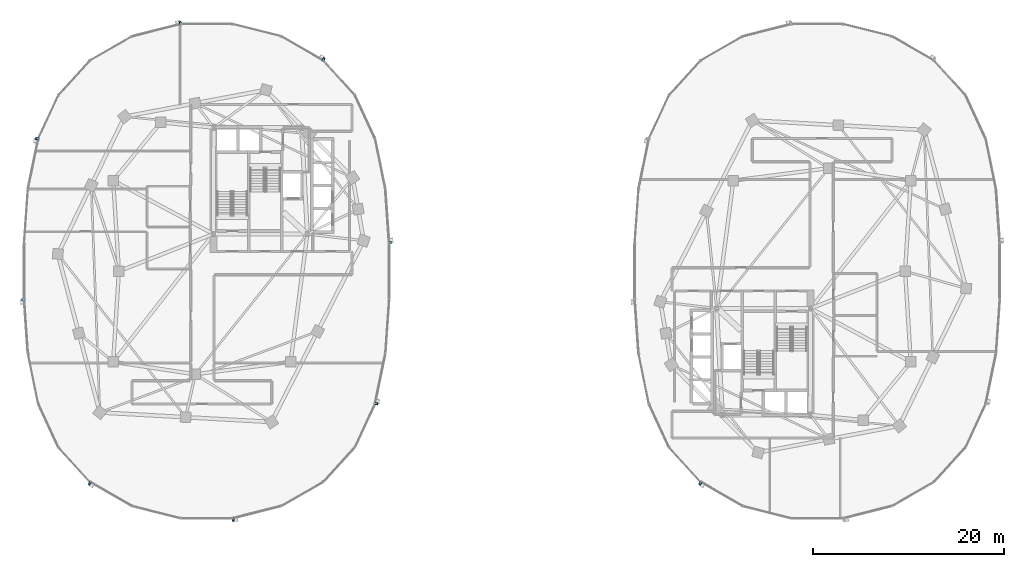
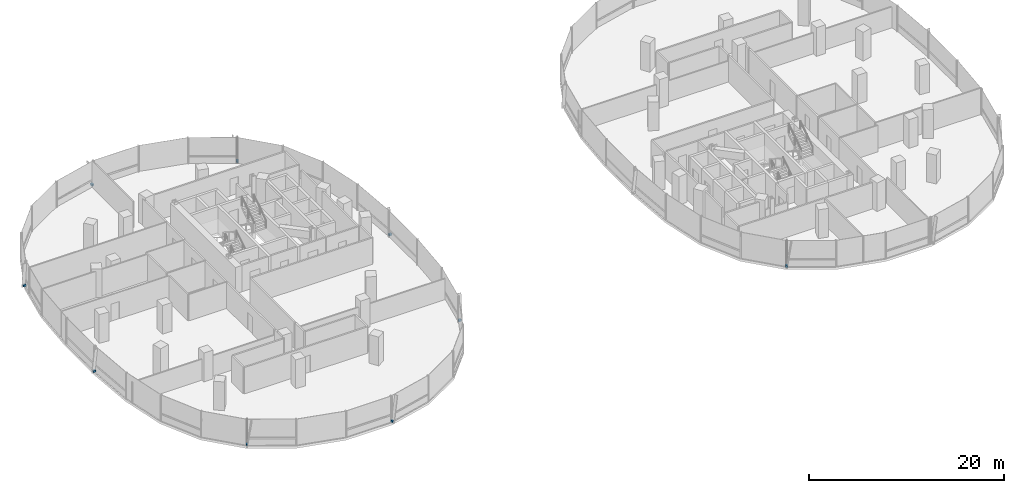
# One storey, part 15 of 21: 9 discrete accessories.
"""IFC4 building model written with IfcOpenShell, lengths in metres."""

import ifcopenshell
import ifcopenshell.guid

model = None  # the IFC model being written
_history = None  # IfcOwnerHistory: only IFC2X3 demands one
_inside = {}  # id of a spatial element -> (the spatial element, [elements in it])
_under = {}  # id of a project, library or spatial element -> (it, [spatial elements below it])
_declared = {}  # id of a project -> (the project, [libraries it declares])
_typed = {}  # id of a type object -> (the type object, [elements of that type])
_made_of = {}  # id of a material, layer set ... -> (it, [elements and type objects made of it])


def new_model(schema):
    """Start an empty IFC model of exactly this schema.

    Asked for "IFC4X3", IfcOpenShell would pick the latest addendum, in which some entities
    have other attributes; the version numbers below select the first issue.
    IFC2X3 requires an IfcOwnerHistory on every rooted entity: one is made here for all.
    """
    global model, _history
    if schema == "IFC4X3":
        model = ifcopenshell.file(schema_version=(4, 3, 0, 0))
    else:
        model = ifcopenshell.file(schema=schema)
    _inside.clear()
    _under.clear()
    _declared.clear()
    _typed.clear()
    _made_of.clear()
    _history = None
    if model.schema == "IFC2X3":
        org = make("IfcOrganization", Name="unknown")
        user = make(
            "IfcPersonAndOrganization",
            ThePerson=make("IfcPerson", FamilyName="unknown"),
            TheOrganization=org,
        )
        app = make(
            "IfcApplication",
            ApplicationDeveloper=org,
            Version="unknown",
            ApplicationFullName="unknown",
            ApplicationIdentifier="unknown",
        )
        _history = make(
            "IfcOwnerHistory",
            OwningUser=user,
            OwningApplication=app,
            ChangeAction="ADDED",
            CreationDate=0,
        )
    return model


def make(cls, **values):
    """One entity of the class cls with the attributes given. An attribute that is None is left unset."""
    return model.create_entity(
        cls, **{name: value for name, value in values.items() if value is not None}
    )


def rooted(cls, **values):
    """An entity with a GlobalId (a new one), such as an element, a storey or a relation."""
    return make(cls, GlobalId=ifcopenshell.guid.new(), OwnerHistory=_history, **values)


def si_unit(unit_type, name, prefix=None):
    """IfcSIUnit, for example si_unit("LENGTHUNIT", "METRE", prefix="MILLI")."""
    return make("IfcSIUnit", UnitType=unit_type, Prefix=prefix, Name=name)


def assignment(units):
    """IfcUnitAssignment: the units of a project."""
    return None if units is None else make("IfcUnitAssignment", Units=units)


def point(xyz):
    """IfcCartesianPoint."""
    return None if xyz is None else make("IfcCartesianPoint", Coordinates=xyz)


def direction(xyz):
    """IfcDirection."""
    return None if xyz is None else make("IfcDirection", DirectionRatios=xyz)


def frame(location, z_axis=None, x_axis=None):
    """IfcAxis2Placement3D, a coordinate frame: its origin and axes. An axis left out is left unset."""
    return make(
        "IfcAxis2Placement3D",
        Location=point(location),
        Axis=direction(z_axis),
        RefDirection=direction(x_axis),
    )


def frame_2d(location, x_axis=None):
    """IfcAxis2Placement2D, a coordinate frame in the plane: its origin and x axis."""
    return make(
        "IfcAxis2Placement2D", Location=point(location), RefDirection=direction(x_axis)
    )


def origin():
    """The frame at (0, 0, 0) with its axes left unset."""
    return frame((0.0, 0.0, 0.0))


def origin_2d():
    """The frame at (0, 0) in the plane with its x axis left unset."""
    return frame_2d((0.0, 0.0))


def place(relative_to, where):
    """IfcLocalPlacement: puts the frame where relative to a parent placement (None: the world)."""
    return make(
        "IfcLocalPlacement", PlacementRelTo=relative_to, RelativePlacement=where
    )


def context(
    kind, dimensions, precision=None, world=None, true_north=None, identifier=None
):
    """IfcGeometricRepresentationContext, for example the 3D "Model" context."""
    return make(
        "IfcGeometricRepresentationContext",
        ContextIdentifier=identifier,
        ContextType=kind,
        CoordinateSpaceDimension=dimensions,
        Precision=precision,
        WorldCoordinateSystem=world,
        TrueNorth=true_north,
    )


def subcontext(parent, identifier, kind, view, scale=None):
    """IfcGeometricRepresentationSubContext, for example "Body" below "Model"."""
    return make(
        "IfcGeometricRepresentationSubContext",
        ContextIdentifier=identifier,
        ContextType=kind,
        ParentContext=parent,
        TargetScale=scale,
        TargetView=view,
    )


def project(units=None, contexts=None):
    """IfcProject with its units and contexts."""
    return rooted(
        "IfcProject",
        Name="project",
        RepresentationContexts=contexts,
        UnitsInContext=assignment(units),
    )


def spatial(cls, under=None, at=None, **own):
    """A site, building, storey or space (cls), placed at a placement, below another one or the project."""
    s = rooted(cls, ObjectPlacement=at, **own)
    if under is not None:
        _under.setdefault(under.id(), (under, []))[1].append(s)
    return s


def profile(cls, at=None, kind="AREA", **sizes):
    """A parametric profile (cls). Its sizes go by their IFC names, for example OverallWidth=200.0."""
    return make(cls, ProfileType=kind, Position=at, **sizes)


def rectangle(**sizes):
    """IfcRectangleProfileDef."""
    return profile("IfcRectangleProfileDef", **sizes)


def extrude(swept, where, along, depth):
    """IfcExtrudedAreaSolid: the profile swept, set in the frame where, extruded along a direction by depth."""
    return make(
        "IfcExtrudedAreaSolid",
        SweptArea=swept,
        Position=where,
        ExtrudedDirection=direction(along),
        Depth=depth,
    )


def shape(context_of_items, identifier, shape_type, items):
    """IfcShapeRepresentation: the items that make up one representation, for example the "Body"."""
    return make(
        "IfcShapeRepresentation",
        ContextOfItems=context_of_items,
        RepresentationIdentifier=identifier,
        RepresentationType=shape_type,
        Items=items,
    )


def material(Name=None, Category=None):
    """IfcMaterial."""
    return make("IfcMaterial", Name=Name, Category=Category)


def made_of(thing, what):
    """Note that an element or type object is made of a material, layer set ...; save() writes the relation."""
    if what is not None:
        _made_of.setdefault(what.id(), (what, []))[1].append(thing)
    return thing


def type_object(cls, material=None, **own):
    """A type object (cls), such as IfcWallType, which elements share."""
    return made_of(rooted(cls, **own), material)


def element(
    cls,
    number,
    at=None,
    inside=None,
    cuts=None,
    type_object=None,
    material=None,
    context=None,
    identifier="Body",
    shape_type=None,
    held_by="IfcProductDefinitionShape",
    body=None,
    shapes=None,
    **own,
):
    """One element of the class cls, such as IfcWall. Its Tag is "e" and its number.

    at: its placement. inside: the storey or other place that contains it. cuts: it is an
    opening in that element (IfcRelVoidsElement). A single representation is given by context,
    identifier, shape_type and body (its items); several are given by shapes. held_by: the class
    of the entity that holds the representations. save() writes the other relations.
    """
    e = rooted(cls, Tag="e%d" % number, ObjectPlacement=at, **own)
    if body is not None:
        shapes = [shape(context, identifier, shape_type, body)]
    if shapes is not None:
        e.Representation = make(held_by, Representations=shapes)
    if inside is not None:
        _inside.setdefault(inside.id(), (inside, []))[1].append(e)
    if cuts is not None:
        rooted(
            "IfcRelVoidsElement", RelatingBuildingElement=cuts, RelatedOpeningElement=e
        )
    if type_object is not None:
        _typed.setdefault(type_object.id(), (type_object, []))[1].append(e)
    return made_of(e, material)


def aggregate(whole, parts):
    """IfcRelAggregates: a whole, such as a stair, and the parts it consists of."""
    return rooted("IfcRelAggregates", RelatingObject=whole, RelatedObjects=parts)


def save(model, path):
    """Write the relations noted so far, then the file.

    IfcRelAggregates (storeys below a building ...), IfcRelContainedInSpatialStructure (elements
    in a storey), IfcRelDefinesByType, IfcRelAssociatesMaterial and IfcRelDeclares: one each for
    every whole, place, type object, material and project.
    """
    for whole, parts in _under.values():
        aggregate(whole, parts)
    for where, things in _inside.values():
        rooted(
            "IfcRelContainedInSpatialStructure",
            RelatedElements=things,
            RelatingStructure=where,
        )
    for kind, things in _typed.values():
        rooted("IfcRelDefinesByType", RelatedObjects=things, RelatingType=kind)
    for what, things in _made_of.values():
        rooted("IfcRelAssociatesMaterial", RelatedObjects=things, RelatingMaterial=what)
    for by, libraries in _declared.values():
        rooted("IfcRelDeclares", RelatingContext=by, RelatedDefinitions=libraries)
    model.write(path)


model = new_model("IFC4")

# Units and contexts
model_context = context("Model", 3, precision=1e-05, world=origin(), true_north=direction((0.0, 1.0)))
body_context = subcontext(model_context, "Body", "Model", "MODEL_VIEW")
ifc_project = project(units=[si_unit("LENGTHUNIT", "METRE"), si_unit("AREAUNIT", "SQUARE_METRE"), si_unit("VOLUMEUNIT", "CUBIC_METRE"), si_unit("PLANEANGLEUNIT", "RADIAN"), si_unit("MASSUNIT", "GRAM", prefix="KILO"), si_unit("THERMODYNAMICTEMPERATUREUNIT", "KELVIN"), si_unit("POWERUNIT", "WATT")], contexts=[model_context])

# Site, building, storey
site_placement = place(None, origin())
site = spatial("IfcSite", under=ifc_project, at=site_placement, CompositionType="ELEMENT")
building_placement = place(site_placement, origin())
building = spatial("IfcBuilding", under=site, at=building_placement, Name="Cundina Bronze Exchange", CompositionType="ELEMENT")
storey_placement = place(building_placement, frame((0.0, 0.0, 110.60009765625)))
storey = spatial("IfcBuildingStorey", under=building, at=storey_placement, Name="L28", CompositionType="ELEMENT", Elevation=110.60009765625)

# Discrete accessories
ifc_material = material(Name="Anodised Bronze Aluminium 6063-T6", Category="aluminium")
discrete_accessory_type = type_object("IfcDiscreteAccessoryType", Name="ACC-BRK-FIN", PredefinedType="BRACKET", material=ifc_material)
for number, where, z_axis, x_axis, name in (
    (1, (-12.735595703125, 2.986083984375, 0.10009765625), (0.0, 0.0, 1.0), (-0.070278787473, 0.997527389113, 0.0), "L28 Fin Support Bracket 1"),
    (2, (-19.740478515625, 22.21875, 0.10009765625), (0.0, 0.0, 1.0), (-0.867105478933, 0.498124571171, 0.0), "L28 Fin Support Bracket 5"),
    (3, (-34.76025390625, 26.03173828125, 0.10009765625), (0.0, 0.0, 1.0), (-0.969488149345, -0.245138182011, 0.0), "L28 Fin Support Bracket 1"),
    (4, (-49.788330078125, 13.8896484375, 0.10009765625), (0.0, 0.0, 1.0), (-0.201419845156, -0.979505000486, 0.0), "L28 Fin Support Bracket 5"),
    (5, (-51.264404296875, -2.986083984375, 0.10009765625), (0.0, 0.0, 1.0), (0.070278787473, -0.997527389113, 0.0), "L28 Fin Support Bracket 1"),
    (6, (-44.259521484375, -22.21875, 0.10009765625), (0.0, 0.0, 1.0), (0.867105478933, -0.498124571171, 0.0), "L28 Fin Support Bracket 5"),
    (7, (-29.23974609375, -26.03173828125, 0.10009765625), (0.0, 0.0, 1.0), (0.969488149345, 0.245138182011, 0.0), "L28 Fin Support Bracket 1"),
    (8, (-14.211669921875, -13.8896484375, 0.10009765625), (0.0, 0.0, 1.0), (0.201419845156, 0.979505000486, 0.0), "L28 Fin Support Bracket 5"),
    (9, (19.740478515625, -22.21875, 0.10009765625), (0.0, 0.0, 1.0), (0.867105478933, -0.498124571171, 0.0), "L28 Fin Support Bracket 5"),
):
    element("IfcDiscreteAccessory", number, at=place(storey_placement, frame(where, z_axis=z_axis, x_axis=x_axis)), inside=storey, type_object=discrete_accessory_type, Name=name, PredefinedType="BRACKET", context=body_context, shape_type="SweptSolid", body=[
        extrude(rectangle(XDim=0.219970703125, YDim=0.320068359375, at=origin_2d()), origin(), (0.0, 0.0, 1.0), 0.239990234375),
    ])

save(model, "model.ifc")
